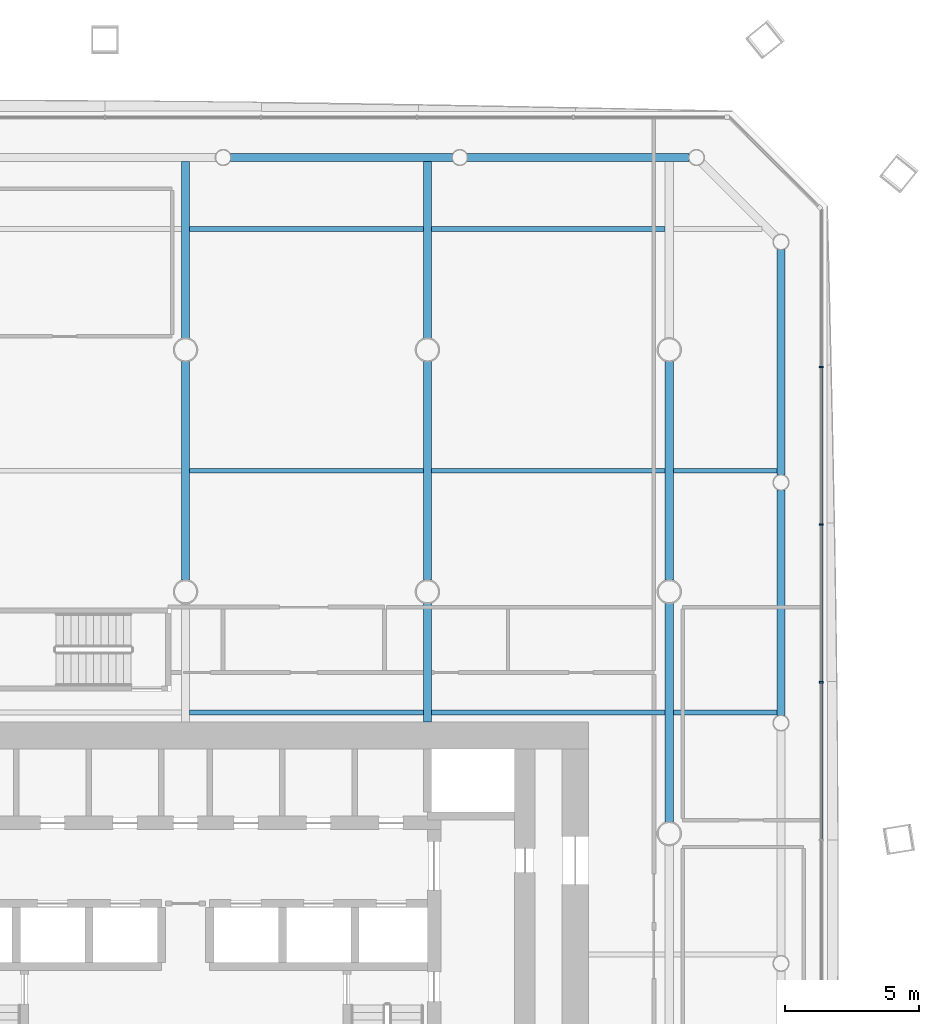
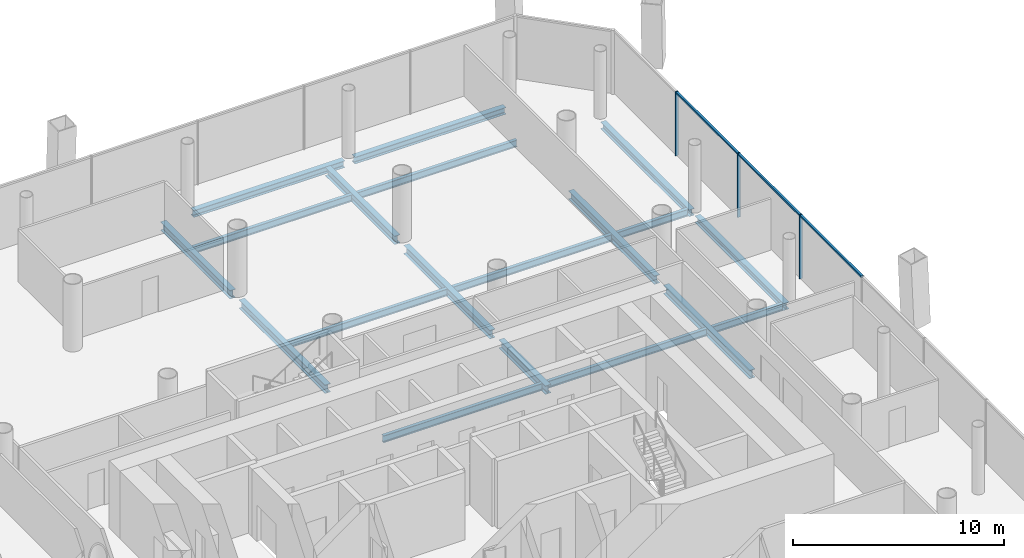
# One storey, part 10 of 21: 19 beams, 6 members, 1 element without a shape of its own.
"""IFC4 building model written with IfcOpenShell, lengths in metres."""

from ifc_helpers import new_model, si_unit, direction, frame, origin, origin_2d, place, context, subcontext, project, spatial, rectangle, i_section, extrude, material, material_profile, profile_set, type_object, element, aggregate, save


model = new_model("IFC4")

# Units and contexts
model_context = context("Model", 3, precision=1e-05, world=origin(), true_north=direction((0.0, 1.0)))
body_context = subcontext(model_context, "Body", "Model", "MODEL_VIEW")
ifc_project = project(units=[si_unit("LENGTHUNIT", "METRE"), si_unit("AREAUNIT", "SQUARE_METRE"), si_unit("VOLUMEUNIT", "CUBIC_METRE"), si_unit("PLANEANGLEUNIT", "RADIAN"), si_unit("MASSUNIT", "GRAM", prefix="KILO")], contexts=[model_context])

# Site, building, storey
site_placement = place(None, origin())
site = spatial("IfcSite", under=ifc_project, at=site_placement, CompositionType="ELEMENT")
building_placement = place(site_placement, origin())
building = spatial("IfcBuilding", under=site, at=building_placement, Name="Tskaro Facet Tower", CompositionType="ELEMENT")
storey_placement = place(building_placement, frame((0.0, 0.0, 38.10009765625)))
storey = spatial("IfcBuildingStorey", under=building, at=storey_placement, Name="L08", CompositionType="ELEMENT", Elevation=38.10009765625)

# Curtain wall, members
ifc_material_1 = material(Name="Bronze anodised aluminium 6063-T6", Category="aluminium")
curtain_wall_type = type_object("IfcCurtainWallType", Name="Bronze office curtain wall (FW1)", PredefinedType="NOTDEFINED", material=ifc_material_1)
curtain_wall_placement = place(storey_placement, origin())
curtain_wall = element("IfcCurtainWall", 1, at=curtain_wall_placement, inside=storey, type_object=curtain_wall_type, Name="FW1 east facet L08", PredefinedType="NOTDEFINED")
ifc_material_profile_1 = material_profile(ifc_material_1, rectangle(XDim=0.06005859375, YDim=0.159912109375, at=origin_2d()), Name="Mullion 60x160")
ifc_profile_set_1 = profile_set([ifc_material_profile_1], Name="Bronze anodised aluminium 6063-T6")
member_type_1 = type_object("IfcMemberType", Name="FW1 bronze mullion 60x160", PredefinedType="MULLION", material=ifc_profile_set_1)
member_1_placement = place(storey_placement, frame((23.654052734375, 5.62939453125, 0.0), z_axis=(0.0, 0.0, 1.0), x_axis=(0.0, 1.0, 0.0)))
member_1 = element("IfcMember", 2, at=member_1_placement, type_object=member_type_1, Name="FW1 east mullion 5", PredefinedType="MULLION", context=body_context, shape_type="SweptSolid", body=[
    extrude(rectangle(XDim=0.06005859375, YDim=0.159912109375, at=origin_2d()), origin(), (0.0, 0.0, 1.0), 3.699951171875),
])
member_2_placement = place(storey_placement, frame((23.654052734375, 11.498046875, 0.0), z_axis=(0.0, 0.0, 1.0), x_axis=(0.0, 1.0, 0.0)))
member_2 = element("IfcMember", 3, at=member_2_placement, type_object=member_type_1, Name="FW1 east mullion 6", PredefinedType="MULLION", context=body_context, shape_type="SweptSolid", body=[
    extrude(rectangle(XDim=0.06005859375, YDim=0.159912109375, at=origin_2d()), origin(), (0.0, 0.0, 1.0), 3.699951171875),
])
member_3_placement = place(storey_placement, frame((23.654052734375, 17.366455078125, 0.0), z_axis=(0.0, 0.0, 1.0), x_axis=(0.0, 1.0, 0.0)))
member_3 = element("IfcMember", 4, at=member_3_placement, type_object=member_type_1, Name="FW1 east mullion 7", PredefinedType="MULLION", context=body_context, shape_type="SweptSolid", body=[
    extrude(rectangle(XDim=0.06005859375, YDim=0.159912109375, at=origin_2d()), origin(), (0.0, 0.0, 1.0), 3.699951171875),
])
ifc_material_profile_2 = material_profile(ifc_material_1, rectangle(XDim=0.1201171875, YDim=0.10009765625, at=origin_2d()), Name="Transom 120x100")
ifc_profile_set_2 = profile_set([ifc_material_profile_2], Name="Bronze anodised aluminium 6063-T6")
member_type_2 = type_object("IfcMemberType", Name="FW1 bronze transom 120x100", PredefinedType="USERDEFINED", material=ifc_profile_set_2)
member_4_placement = place(storey_placement, frame((23.654052734375, -0.208984375, 3.64990234375), z_axis=(0.0, 1.0, 0.0), x_axis=(-1.0, 0.0, 0.0)))
member_4 = element("IfcMember", 5, at=member_4_placement, type_object=member_type_2, Name="FW1 east transom 5.1", ObjectType="TRANSOM", PredefinedType="USERDEFINED", context=body_context, shape_type="SweptSolid", body=[
    extrude(rectangle(XDim=0.1201171875, YDim=0.10009765625, at=origin_2d()), origin(), (0.0, 0.0, 1.0), 5.80859375),
])
member_5_placement = place(storey_placement, frame((23.654052734375, 5.659423828125, 3.64990234375), z_axis=(0.0, 1.0, 0.0), x_axis=(-1.0, 0.0, 0.0)))
member_5 = element("IfcMember", 6, at=member_5_placement, type_object=member_type_2, Name="FW1 east transom 6.1", ObjectType="TRANSOM", PredefinedType="USERDEFINED", context=body_context, shape_type="SweptSolid", body=[
    extrude(rectangle(XDim=0.1201171875, YDim=0.10009765625, at=origin_2d()), origin(), (0.0, 0.0, 1.0), 5.80859375),
])
member_6_placement = place(storey_placement, frame((23.654052734375, 11.528076171875, 3.64990234375), z_axis=(0.0, 1.0, 0.0), x_axis=(-1.0, 0.0, 0.0)))
member_6 = element("IfcMember", 7, at=member_6_placement, type_object=member_type_2, Name="FW1 east transom 7.1", ObjectType="TRANSOM", PredefinedType="USERDEFINED", context=body_context, shape_type="SweptSolid", body=[
    extrude(rectangle(XDim=0.1201171875, YDim=0.10009765625, at=origin_2d()), origin(), (0.0, 0.0, 1.0), 5.808349609375),
])
aggregate(curtain_wall, [member_1, member_2, member_3, member_4, member_5, member_6])

# Beams
ifc_material_2 = material(Name="Steel S355J2", Category="steel")
ifc_material_profile_3 = material_profile(ifc_material_2, i_section(OverallWidth=0.300048828125, OverallDepth=0.39990234375, WebThickness=0.013427734375, FlangeThickness=0.02392578125, FilletRadius=0.027099609375, at=origin_2d()), Name="HE 400 B")
ifc_profile_set_3 = profile_set([ifc_material_profile_3], Name="Steel S355J2")
beam_type_1 = type_object("IfcBeamType", Name="HE 400 B ring beam", PredefinedType="BEAM", material=ifc_profile_set_3)
for number, where, z_axis, x_axis, name in (
    (8, (22.156982421875, 4.39111328125, -0.340087890625), (0.0, 1.0, 0.0), (-1.0, 0.0, 0.0), "HE 400 B EB11-1"),
    (9, (22.156982421875, 13.339111328125, -0.340087890625), (0.0, 1.0, 0.0), (-1.0, 0.0, 0.0), "HE 400 B EB12-1"),
):
    element("IfcBeam", number, at=place(storey_placement, frame(where, z_axis=z_axis, x_axis=x_axis)), inside=storey, type_object=beam_type_1, Name=name, PredefinedType="BEAM", context=body_context, shape_type="SweptSolid", body=[
        extrude(i_section(OverallWidth=0.300048828125, OverallDepth=0.39990234375, WebThickness=0.013427734375, FlangeThickness=0.02392578125, FilletRadius=0.027099609375, at=origin_2d()), origin(), (0.0, 0.0, 1.0), 8.39794921875),
    ])
beam_1_placement = place(storey_placement, frame((18.737060546875, 25.156982421875, -0.340087890625), z_axis=(-1.0, 0.0, 0.0), x_axis=(0.0, -1.0, 0.0)))
element("IfcBeam", 10, at=beam_1_placement, inside=storey, type_object=beam_type_1, Name="HE 400 B EB14-1", PredefinedType="BEAM", context=body_context, shape_type="SweptSolid", body=[
    extrude(i_section(OverallWidth=0.300048828125, OverallDepth=0.39990234375, WebThickness=0.013427734375, FlangeThickness=0.02392578125, FilletRadius=0.027099609375, at=origin_2d()), origin(), (0.0, 0.0, 1.0), 8.255126953125),
])
beam_2_placement = place(storey_placement, frame((9.931884765625, 25.156982421875, -0.340087890625), z_axis=(-1.0, 0.0, 0.0), x_axis=(0.0, -1.0, 0.0)))
element("IfcBeam", 11, at=beam_2_placement, inside=storey, type_object=beam_type_1, Name="HE 400 B EB15-1", PredefinedType="BEAM", context=body_context, shape_type="SweptSolid", body=[
    extrude(i_section(OverallWidth=0.300048828125, OverallDepth=0.39990234375, WebThickness=0.013427734375, FlangeThickness=0.02392578125, FilletRadius=0.027099609375, at=origin_2d()), origin(), (0.0, 0.0, 1.0), 8.2548828125),
])
ifc_material_profile_4 = material_profile(ifc_material_2, i_section(OverallWidth=0.300048828125, OverallDepth=0.489990234375, WebThickness=0.011962890625, FlangeThickness=0.02294921875, FilletRadius=0.027099609375, at=origin_2d()), Name="HE 500 A")
ifc_profile_set_4 = profile_set([ifc_material_profile_4], Name="Steel S355J2")
beam_type_2 = type_object("IfcBeamType", Name="HE 500 A girder", PredefinedType="BEAM", material=ifc_profile_set_4)
beam_3_placement = place(storey_placement, frame((0.0, 9.42724609375, -0.385009765625), z_axis=(0.0, 1.0, 0.0), x_axis=(-1.0, 0.0, 0.0)))
element("IfcBeam", 12, at=beam_3_placement, inside=storey, type_object=beam_type_2, Name="HE 500 A GB4-4-1", PredefinedType="BEAM", context=body_context, shape_type="SweptSolid", body=[
    extrude(i_section(OverallWidth=0.300048828125, OverallDepth=0.489990234375, WebThickness=0.011962890625, FlangeThickness=0.02294921875, FilletRadius=0.027099609375, at=origin_2d()), origin(), (0.0, 0.0, 1.0), 8.1455078125),
])
beam_4_placement = place(storey_placement, frame((0.0, 18.42724609375, -0.385009765625), z_axis=(0.0, 1.0, 0.0), x_axis=(-1.0, 0.0, 0.0)))
element("IfcBeam", 13, at=beam_4_placement, inside=storey, type_object=beam_type_2, Name="HE 500 A GB4-5-1", PredefinedType="BEAM", context=body_context, shape_type="SweptSolid", body=[
    extrude(i_section(OverallWidth=0.300048828125, OverallDepth=0.489990234375, WebThickness=0.011962890625, FlangeThickness=0.02294921875, FilletRadius=0.027099609375, at=origin_2d()), origin(), (0.0, 0.0, 1.0), 6.579833984375),
])
beam_5_placement = place(storey_placement, frame((9.0, 4.14990234375, -0.385009765625), z_axis=(0.0, 1.0, 0.0), x_axis=(-1.0, 0.0, 0.0)))
element("IfcBeam", 14, at=beam_5_placement, inside=storey, type_object=beam_type_2, Name="HE 500 A GB5-3-1", PredefinedType="BEAM", context=body_context, shape_type="SweptSolid", body=[
    extrude(i_section(OverallWidth=0.300048828125, OverallDepth=0.489990234375, WebThickness=0.011962890625, FlangeThickness=0.02294921875, FilletRadius=0.027099609375, at=origin_2d()), origin(), (0.0, 0.0, 1.0), 4.4228515625),
])
beam_6_placement = place(storey_placement, frame((9.0, 9.42724609375, -0.385009765625), z_axis=(0.0, 1.0, 0.0), x_axis=(-1.0, 0.0, 0.0)))
element("IfcBeam", 15, at=beam_6_placement, inside=storey, type_object=beam_type_2, Name="HE 500 A GB5-4-1", PredefinedType="BEAM", context=body_context, shape_type="SweptSolid", body=[
    extrude(i_section(OverallWidth=0.300048828125, OverallDepth=0.489990234375, WebThickness=0.011962890625, FlangeThickness=0.02294921875, FilletRadius=0.027099609375, at=origin_2d()), origin(), (0.0, 0.0, 1.0), 8.1455078125),
])
beam_7_placement = place(storey_placement, frame((9.0, 18.42724609375, -0.385009765625), z_axis=(0.0, 1.0, 0.0), x_axis=(-1.0, 0.0, 0.0)))
element("IfcBeam", 16, at=beam_7_placement, inside=storey, type_object=beam_type_2, Name="HE 500 A GB5-5-1", PredefinedType="BEAM", context=body_context, shape_type="SweptSolid", body=[
    extrude(i_section(OverallWidth=0.300048828125, OverallDepth=0.489990234375, WebThickness=0.011962890625, FlangeThickness=0.02294921875, FilletRadius=0.027099609375, at=origin_2d()), origin(), (0.0, 0.0, 1.0), 6.579833984375),
])
for number, where, z_axis, x_axis, name in (
    (17, (18.0, 0.42724609375, -0.385009765625), (0.0, 1.0, 0.0), (-1.0, 0.0, 0.0), "HE 500 A GB6-4-1"),
    (18, (18.0, 9.42724609375, -0.385009765625), (0.0, 1.0, 0.0), (-1.0, 0.0, 0.0), "HE 500 A GB6-5-1"),
):
    element("IfcBeam", number, at=place(storey_placement, frame(where, z_axis=z_axis, x_axis=x_axis)), inside=storey, type_object=beam_type_2, Name=name, PredefinedType="BEAM", context=body_context, shape_type="SweptSolid", body=[
        extrude(i_section(OverallWidth=0.300048828125, OverallDepth=0.489990234375, WebThickness=0.011962890625, FlangeThickness=0.02294921875, FilletRadius=0.027099609375, at=origin_2d()), origin(), (0.0, 0.0, 1.0), 8.1455078125),
    ])
ifc_material_profile_5 = material_profile(ifc_material_2, i_section(OverallWidth=0.179931640625, OverallDepth=0.39990234375, WebThickness=0.008544921875, FlangeThickness=0.013427734375, FilletRadius=0.02099609375, at=origin_2d()), Name="IPE 400")
ifc_profile_set_5 = profile_set([ifc_material_profile_5], Name="Steel S355J2")
beam_type_3 = type_object("IfcBeamType", Name="IPE 400 secondary beam", PredefinedType="BEAM", material=ifc_profile_set_5)
for number, where, z_axis, x_axis, name in (
    (19, (0.14990234375, 4.5, -0.340087890625), (1.0, 0.0, 0.0), (0.0, 1.0, 0.0), "IPE 400 SB4a-4-1"),
    (20, (9.14990234375, 4.5, -0.340087890625), (1.0, 0.0, 0.0), (0.0, 1.0, 0.0), "IPE 400 SB4a-5-1"),
):
    element("IfcBeam", number, at=place(storey_placement, frame(where, z_axis=z_axis, x_axis=x_axis)), inside=storey, type_object=beam_type_3, Name=name, PredefinedType="BEAM", context=body_context, shape_type="SweptSolid", body=[
        extrude(i_section(OverallWidth=0.179931640625, OverallDepth=0.39990234375, WebThickness=0.008544921875, FlangeThickness=0.013427734375, FilletRadius=0.02099609375, at=origin_2d()), origin(), (0.0, 0.0, 1.0), 8.7001953125),
    ])
beam_8_placement = place(storey_placement, frame((18.14990234375, 4.5, -0.340087890625), z_axis=(1.0, 0.0, 0.0), x_axis=(0.0, 1.0, 0.0)))
element("IfcBeam", 21, at=beam_8_placement, inside=storey, type_object=beam_type_3, Name="IPE 400 SB4a-6-1", PredefinedType="BEAM", context=body_context, shape_type="SweptSolid", body=[
    extrude(i_section(OverallWidth=0.179931640625, OverallDepth=0.39990234375, WebThickness=0.008544921875, FlangeThickness=0.013427734375, FilletRadius=0.02099609375, at=origin_2d()), origin(), (0.0, 0.0, 1.0), 3.857177734375),
])
for number, where, z_axis, x_axis, name in (
    (22, (0.14990234375, 13.5, -0.340087890625), (1.0, 0.0, 0.0), (0.0, 1.0, 0.0), "IPE 400 SB5a-4-1"),
    (23, (9.14990234375, 13.5, -0.340087890625), (1.0, 0.0, 0.0), (0.0, 1.0, 0.0), "IPE 400 SB5a-5-1"),
):
    element("IfcBeam", number, at=place(storey_placement, frame(where, z_axis=z_axis, x_axis=x_axis)), inside=storey, type_object=beam_type_3, Name=name, PredefinedType="BEAM", context=body_context, shape_type="SweptSolid", body=[
        extrude(i_section(OverallWidth=0.179931640625, OverallDepth=0.39990234375, WebThickness=0.008544921875, FlangeThickness=0.013427734375, FilletRadius=0.02099609375, at=origin_2d()), origin(), (0.0, 0.0, 1.0), 8.7001953125),
    ])
beam_9_placement = place(storey_placement, frame((18.14990234375, 13.5, -0.340087890625), z_axis=(1.0, 0.0, 0.0), x_axis=(0.0, 1.0, 0.0)))
element("IfcBeam", 24, at=beam_9_placement, inside=storey, type_object=beam_type_3, Name="IPE 400 SB5a-6-1", PredefinedType="BEAM", context=body_context, shape_type="SweptSolid", body=[
    extrude(i_section(OverallWidth=0.179931640625, OverallDepth=0.39990234375, WebThickness=0.008544921875, FlangeThickness=0.013427734375, FilletRadius=0.02099609375, at=origin_2d()), origin(), (0.0, 0.0, 1.0), 3.857177734375),
])
for number, where, z_axis, x_axis, name in (
    (25, (0.14990234375, 22.5, -0.340087890625), (1.0, 0.0, 0.0), (0.0, 1.0, 0.0), "IPE 400 SB6a-4-1"),
    (26, (9.14990234375, 22.5, -0.340087890625), (1.0, 0.0, 0.0), (0.0, 1.0, 0.0), "IPE 400 SB6a-5-1"),
):
    element("IfcBeam", number, at=place(storey_placement, frame(where, z_axis=z_axis, x_axis=x_axis)), inside=storey, type_object=beam_type_3, Name=name, PredefinedType="BEAM", context=body_context, shape_type="SweptSolid", body=[
        extrude(i_section(OverallWidth=0.179931640625, OverallDepth=0.39990234375, WebThickness=0.008544921875, FlangeThickness=0.013427734375, FilletRadius=0.02099609375, at=origin_2d()), origin(), (0.0, 0.0, 1.0), 8.7001953125),
    ])

save(model, "model.ifc")
